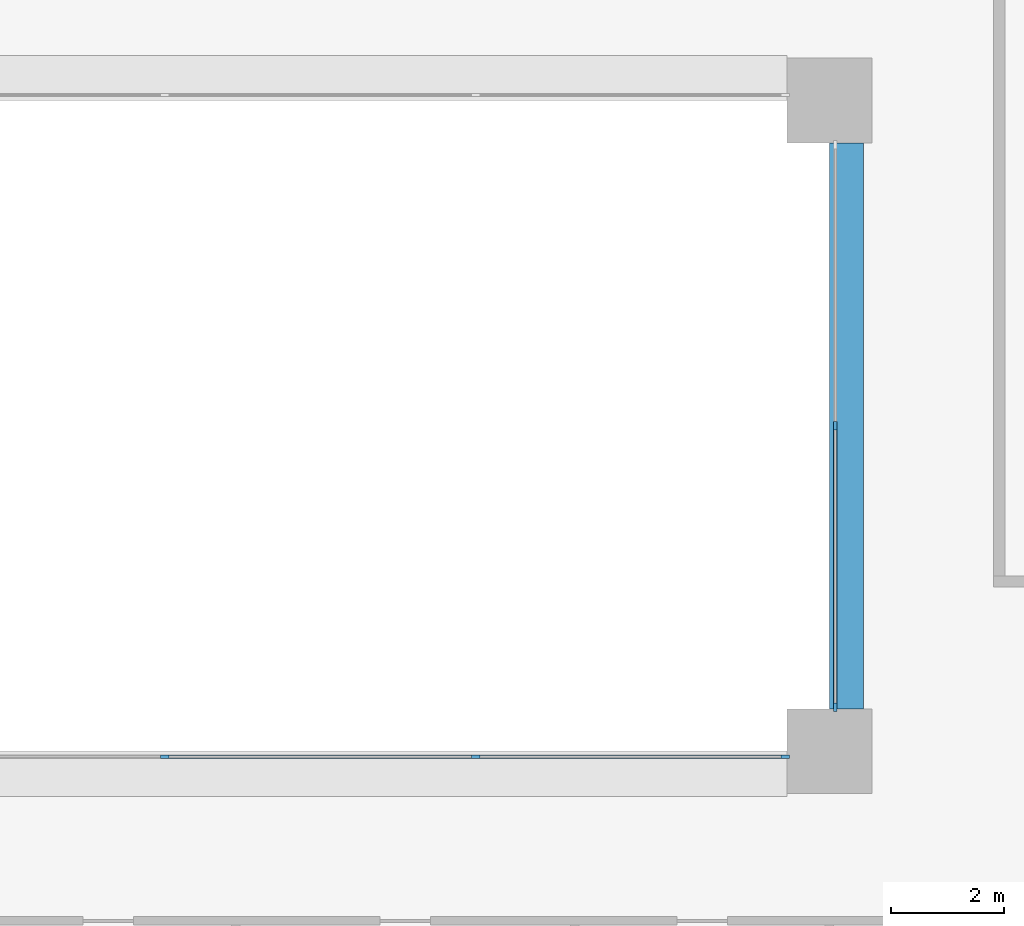
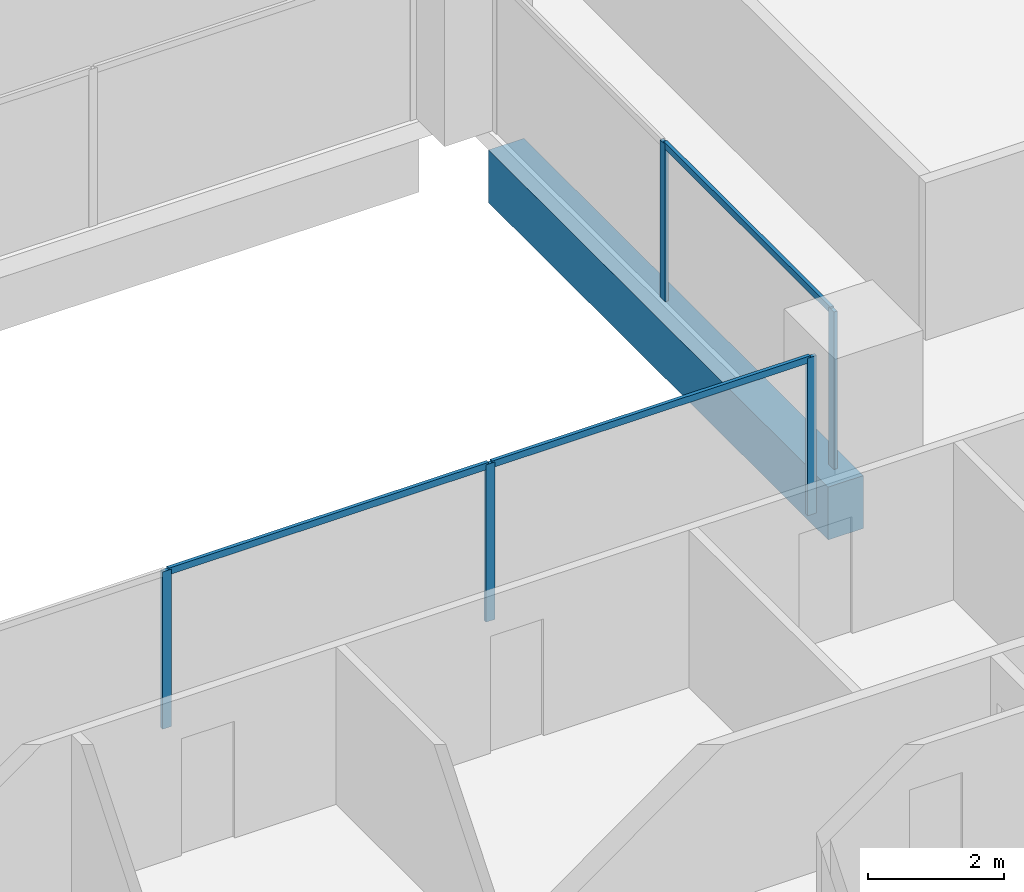
# One storey, part 4 of 21: 8 members, 1 beam, 2 elements without a shape of their own.
"""IFC4 building model written with IfcOpenShell, lengths in metres."""

from ifc_helpers import new_model, si_unit, direction, frame, origin, origin_2d, place, context, subcontext, project, spatial, rectangle, extrude, material, layer, layer_set, material_profile, profile_set, type_object, element, aggregate, save


model = new_model("IFC4")

# Units and contexts
model_context = context("Model", 3, precision=1e-05, world=origin(), true_north=direction((0.0, 1.0)))
body_context = subcontext(model_context, "Body", "Model", "MODEL_VIEW")
ifc_project = project(units=[si_unit("LENGTHUNIT", "METRE"), si_unit("AREAUNIT", "SQUARE_METRE"), si_unit("VOLUMEUNIT", "CUBIC_METRE"), si_unit("PLANEANGLEUNIT", "RADIAN"), si_unit("MASSUNIT", "GRAM", prefix="KILO")], contexts=[model_context])

# Site, building, storey
site_placement = place(None, origin())
site = spatial("IfcSite", under=ifc_project, at=site_placement, CompositionType="ELEMENT")
building_placement = place(site_placement, origin())
building = spatial("IfcBuilding", under=site, at=building_placement, Name="Brigalow Station Residences", CompositionType="ELEMENT")
storey_placement = place(building_placement, frame((0.0, 0.0, 51.0)))
storey = spatial("IfcBuildingStorey", under=building, at=storey_placement, Name="L14", CompositionType="ELEMENT", Elevation=51.0)

# Beam
ifc_material_1 = material(Name="Concrete C65", Category="concrete")
ifc_material_profile_1 = material_profile(ifc_material_1, rectangle(XDim=0.60009765625, YDim=0.949951171875, at=origin_2d()), Name="RC600x950")
ifc_profile_set_1 = profile_set([ifc_material_profile_1], Name="Concrete C65")
beam_type = type_object("IfcBeamType", Name="ATRIUM EDGE GIRDER 600x950 C65", PredefinedType="BEAM", material=ifc_profile_set_1)
beam_placement = place(storey_placement, frame((45.300048828125, 24.75, -0.794921875), z_axis=(0.0, 1.0, 0.0), x_axis=(-1.0, 0.0, 0.0)))
element("IfcBeam", 1, at=beam_placement, inside=storey, type_object=beam_type, Name="ATRIUM EDGE GIRDER 5 L14", PredefinedType="BEAM", context=body_context, shape_type="SweptSolid", body=[
    extrude(rectangle(XDim=0.60009765625, YDim=0.949951171875, at=origin_2d()), origin(), (0.0, 0.0, 1.0), 10.0),
])

# Curtain wall, members
ifc_material_2 = material(Name="Aluminium", Category="aluminium")
ifc_layer = layer(ifc_material_2, 0.14990234375)
ifc_layer_set = layer_set([ifc_layer], Name="ATRIUM FIRE-RATED GLAZING CURTAIN WALL")
curtain_wall_type = type_object("IfcCurtainWallType", Name="ATRIUM FIRE-RATED GLAZING CURTAIN WALL", PredefinedType="NOTDEFINED", material=ifc_layer_set)
curtain_wall_1_placement = place(storey_placement, origin())
curtain_wall_1 = element("IfcCurtainWall", 2, at=curtain_wall_1_placement, inside=storey, type_object=curtain_wall_type, Name="L14/cw/atrium-S", PredefinedType="NOTDEFINED")
ifc_material_3 = material(Name="Aluminium", Category="aluminium")
ifc_material_profile_2 = material_profile(ifc_material_3, rectangle(XDim=0.06005859375, YDim=0.14990234375, at=origin_2d()), Name="ATRIUM FIRE-RATED GLAZING MULLION 60x150")
ifc_profile_set_2 = profile_set([ifc_material_profile_2], Name="Aluminium")
member_type_1 = type_object("IfcMemberType", Name="ATRIUM FIRE-RATED GLAZING MULLION 60x150", PredefinedType="MULLION", material=ifc_profile_set_2)
member_1_placement = place(storey_placement, frame((33.25, 23.89990234375, 0.0), z_axis=(0.0, 0.0, 1.0), x_axis=(0.0, 1.0, 0.0)))
member_1 = element("IfcMember", 3, at=member_1_placement, type_object=member_type_1, Name="L14/cw/atrium-S/M01", PredefinedType="MULLION", context=body_context, shape_type="SweptSolid", body=[
    extrude(rectangle(XDim=0.06005859375, YDim=0.14990234375, at=origin_2d()), origin(), (0.0, 0.0, 1.0), 2.830078125),
])
member_2_placement = place(storey_placement, frame((38.75, 23.89990234375, 0.0), z_axis=(0.0, 0.0, 1.0), x_axis=(0.0, 1.0, 0.0)))
member_2 = element("IfcMember", 4, at=member_2_placement, type_object=member_type_1, Name="L14/cw/atrium-S/M02", PredefinedType="MULLION", context=body_context, shape_type="SweptSolid", body=[
    extrude(rectangle(XDim=0.06005859375, YDim=0.14990234375, at=origin_2d()), origin(), (0.0, 0.0, 1.0), 2.830078125),
])
member_3_placement = place(storey_placement, frame((44.219970703125, 23.89990234375, 0.0), z_axis=(0.0, 0.0, 1.0), x_axis=(0.0, 1.0, 0.0)))
member_3 = element("IfcMember", 5, at=member_3_placement, type_object=member_type_1, Name="L14/cw/atrium-S/M03", PredefinedType="MULLION", context=body_context, shape_type="SweptSolid", body=[
    extrude(rectangle(XDim=0.06005859375, YDim=0.14990234375, at=origin_2d()), origin(), (0.0, 0.0, 1.0), 2.830078125),
])

curtain_wall_2_placement = place(storey_placement, origin())
curtain_wall_2 = element("IfcCurtainWall", 6, at=curtain_wall_2_placement, inside=storey, type_object=curtain_wall_type, Name="L14/cw/atrium-E", PredefinedType="NOTDEFINED")
member_4_placement = place(storey_placement, frame((45.10009765625, 24.780029296875, 0.0), z_axis=(0.0, 0.0, 1.0), x_axis=(-1.0, 0.0, 0.0)))
member_4 = element("IfcMember", 7, at=member_4_placement, type_object=member_type_1, Name="L14/cw/atrium-E/M00", PredefinedType="MULLION", context=body_context, shape_type="SweptSolid", body=[
    extrude(rectangle(XDim=0.06005859375, YDim=0.14990234375, at=origin_2d()), origin(), (0.0, 0.0, 1.0), 2.830078125),
])
member_5_placement = place(storey_placement, frame((45.10009765625, 29.75, 0.0), z_axis=(0.0, 0.0, 1.0), x_axis=(-1.0, 0.0, 0.0)))
member_5 = element("IfcMember", 8, at=member_5_placement, type_object=member_type_1, Name="L14/cw/atrium-E/M01", PredefinedType="MULLION", context=body_context, shape_type="SweptSolid", body=[
    extrude(rectangle(XDim=0.06005859375, YDim=0.14990234375, at=origin_2d()), origin(), (0.0, 0.0, 1.0), 2.830078125),
])

# Member
ifc_material_4 = material(Name="Aluminium", Category="aluminium")
ifc_material_profile_3 = material_profile(ifc_material_4, rectangle(XDim=0.06005859375, YDim=0.1201171875, at=origin_2d()), Name="ATRIUM FIRE-RATED GLAZING TRANSOM 60x120")
ifc_profile_set_3 = profile_set([ifc_material_profile_3], Name="Aluminium")
member_type_2 = type_object("IfcMemberType", Name="ATRIUM FIRE-RATED GLAZING TRANSOM 60x120", PredefinedType="USERDEFINED", material=ifc_profile_set_3)
member_6_placement = place(storey_placement, frame((33.280029296875, 23.89990234375, 2.800048828125), z_axis=(1.0, 0.0, 0.0), x_axis=(0.0, 1.0, 0.0)))
member_6 = element("IfcMember", 9, at=member_6_placement, type_object=member_type_2, Name="L14/cw/atrium-S/T01-00", ObjectType="TRANSOM", PredefinedType="USERDEFINED", context=body_context, shape_type="SweptSolid", body=[
    extrude(rectangle(XDim=0.06005859375, YDim=0.1201171875, at=origin_2d()), origin(), (0.0, 0.0, 1.0), 5.43994140625),
])

member_7_placement = place(storey_placement, frame((38.780029296875, 23.89990234375, 2.800048828125), z_axis=(1.0, 0.0, 0.0), x_axis=(0.0, 1.0, 0.0)))
member_7 = element("IfcMember", 10, at=member_7_placement, type_object=member_type_2, Name="L14/cw/atrium-S/T02-00", ObjectType="TRANSOM", PredefinedType="USERDEFINED", context=body_context, shape_type="SweptSolid", body=[
    extrude(rectangle(XDim=0.06005859375, YDim=0.1201171875, at=origin_2d()), origin(), (0.0, 0.0, 1.0), 5.409912109375),
])

aggregate(curtain_wall_1, [member_1, member_2, member_3, member_6, member_7])

member_8_placement = place(storey_placement, frame((45.10009765625, 24.81005859375, 2.800048828125), z_axis=(0.0, 1.0, 0.0), x_axis=(-1.0, 0.0, 0.0)))
member_8 = element("IfcMember", 11, at=member_8_placement, type_object=member_type_2, Name="L14/cw/atrium-E/T00-00", ObjectType="TRANSOM", PredefinedType="USERDEFINED", context=body_context, shape_type="SweptSolid", body=[
    extrude(rectangle(XDim=0.06005859375, YDim=0.1201171875, at=origin_2d()), origin(), (0.0, 0.0, 1.0), 4.909912109375),
])

aggregate(curtain_wall_2, [member_4, member_5, member_8])

save(model, "model.ifc")
